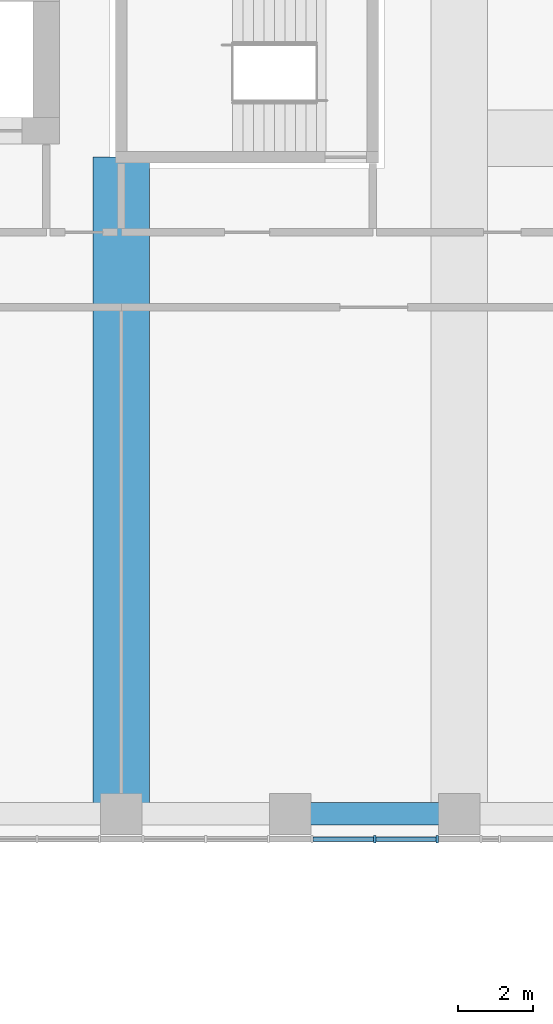
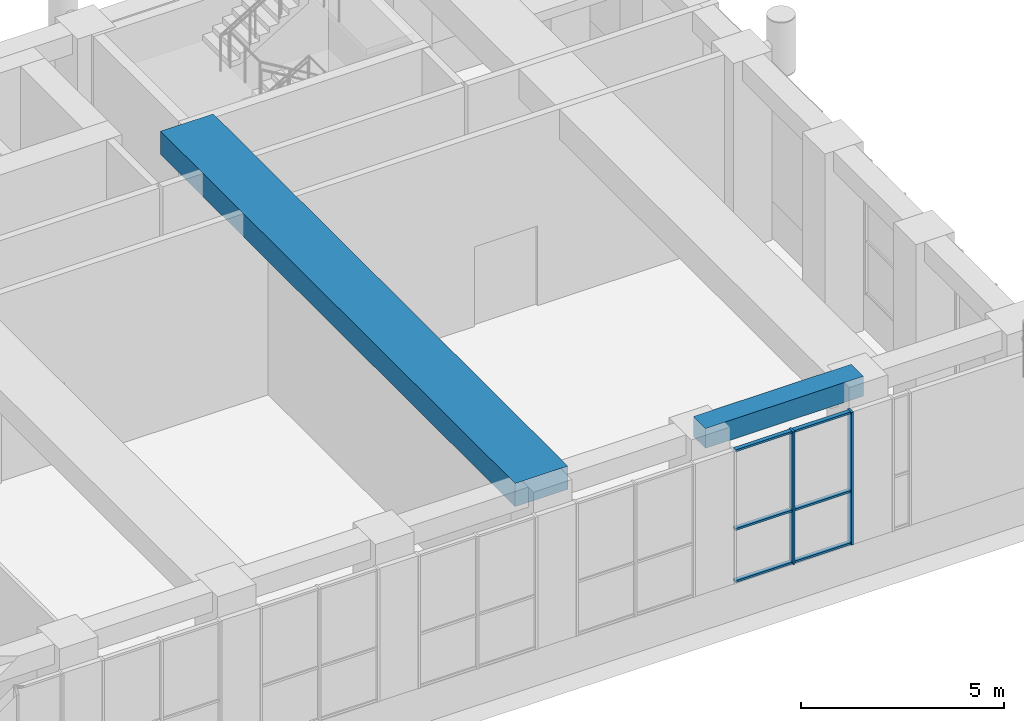
# One storey, part 7 of 22: 8 members, 2 beams, 1 element without a shape of its own.
"""IFC4 building model written with IfcOpenShell, lengths in metres."""

from ifc_helpers import new_model, si_unit, direction, frame, origin, origin_2d, place, context, subcontext, project, spatial, rectangle, extrude, material, material_profile, profile_set, type_object, element, aggregate, save


model = new_model("IFC4")

# Units and contexts
model_context = context("Model", 3, precision=1e-05, world=origin(), true_north=direction((0.0, 1.0)))
body_context = subcontext(model_context, "Body", "Model", "MODEL_VIEW")
ifc_project = project(units=[si_unit("LENGTHUNIT", "METRE"), si_unit("AREAUNIT", "SQUARE_METRE"), si_unit("VOLUMEUNIT", "CUBIC_METRE"), si_unit("PLANEANGLEUNIT", "RADIAN"), si_unit("MASSUNIT", "GRAM", prefix="KILO")], contexts=[model_context])

# Site, building, storey
site_placement = place(None, origin())
site = spatial("IfcSite", under=ifc_project, at=site_placement, CompositionType="ELEMENT")
building_placement = place(site_placement, origin())
building = spatial("IfcBuilding", under=site, at=building_placement, Name="Firuza Court", CompositionType="ELEMENT")
storey_placement = place(building_placement, frame((0.0, 0.0, 113.60009765625)))
storey = spatial("IfcBuildingStorey", under=building, at=storey_placement, Name="L28", CompositionType="ELEMENT", Elevation=113.60009765625)

# Beam
ifc_material_1 = material(Name="Concrete C40/50", Category="concrete")
ifc_material_profile_1 = material_profile(ifc_material_1, rectangle(XDim=1.5, YDim=0.699951171875, at=origin_2d()), Name="RC 1500x700")
ifc_profile_set_1 = profile_set([ifc_material_profile_1], Name="Concrete C40/50")
beam_type_1 = type_object("IfcBeamType", Name="Band beam RC 1500x700 C40/50", PredefinedType="BEAM", material=ifc_profile_set_1)
beam_1_placement = place(storey_placement, frame((54.0, 36.0, 5.349853515625), z_axis=(0.0, 1.0, 0.0), x_axis=(-1.0, 0.0, 0.0)))
element("IfcBeam", 1, at=beam_1_placement, inside=storey, type_object=beam_type_1, Name="Band beam FB1 level L29", PredefinedType="BEAM", context=body_context, shape_type="SweptSolid", body=[
    extrude(rectangle(XDim=1.5, YDim=0.699951171875, at=origin_2d()), origin(), (0.0, 0.0, 1.0), 17.5),
])

# Curtain wall, members
ifc_material_2 = material(Name="Aluminium curtain wall, triple clear glazing", Category="aluminium")
curtain_wall_type = type_object("IfcCurtainWallType", Name="Sky floor unitised curtain wall CW3", PredefinedType="NOTDEFINED", material=ifc_material_2)
curtain_wall_placement = place(storey_placement, origin())
curtain_wall = element("IfcCurtainWall", 2, at=curtain_wall_placement, inside=storey, type_object=curtain_wall_type, Name="Sky floor unitised curtain wall CW3 L28", PredefinedType="NOTDEFINED")
ifc_material_3 = material(Name="Aluminium EN AW-6060 T66", Category="aluminium")
ifc_material_profile_2 = material_profile(ifc_material_3, rectangle(XDim=0.199951171875, YDim=0.06005859375, at=origin_2d()), Name="Mullion 200 x 60 CW3")
ifc_profile_set_2 = profile_set([ifc_material_profile_2], Name="Aluminium EN AW-6060 T66")
member_type_1 = type_object("IfcMemberType", Name="Mullion 200 x 60 CW3", PredefinedType="MULLION", material=ifc_profile_set_2)
member_1_placement = place(storey_placement, frame((60.75, 35.330078125, 1.099853515625), z_axis=(0.0, 0.0, 1.0), x_axis=(0.0, 1.0, 0.0)))
member_1 = element("IfcMember", 3, at=member_1_placement, type_object=member_type_1, Name="CW3 mullion 2", PredefinedType="MULLION", context=body_context, shape_type="SweptSolid", body=[
    extrude(rectangle(XDim=0.199951171875, YDim=0.06005859375, at=origin_2d()), origin(), (0.0, 0.0, 1.0), 4.0),
])
member_2_placement = place(storey_placement, frame((62.419921875, 35.330078125, 1.099853515625), z_axis=(0.0, 0.0, 1.0), x_axis=(0.0, 1.0, 0.0)))
member_2 = element("IfcMember", 4, at=member_2_placement, type_object=member_type_1, Name="CW3 mullion 3", PredefinedType="MULLION", context=body_context, shape_type="SweptSolid", body=[
    extrude(rectangle(XDim=0.199951171875, YDim=0.06005859375, at=origin_2d()), origin(), (0.0, 0.0, 1.0), 4.0),
])

# Beam
ifc_material_4 = material(Name="Concrete C40/50", Category="concrete")
ifc_material_profile_3 = material_profile(ifc_material_4, rectangle(XDim=0.60009765625, YDim=0.60009765625, at=origin_2d()), Name="RC 600x600")
ifc_profile_set_3 = profile_set([ifc_material_profile_3], Name="Concrete C40/50")
beam_type_2 = type_object("IfcBeamType", Name="Spandrel beam RC 600x600 C40/50", PredefinedType="BEAM", material=ifc_profile_set_3)
beam_2_placement = place(storey_placement, frame((58.5, 36.0, 5.39990234375), z_axis=(1.0, 0.0, 0.0), x_axis=(0.0, 1.0, 0.0)))
element("IfcBeam", 5, at=beam_2_placement, inside=storey, type_object=beam_type_2, Name="Spandrel beam SP11 level L29", PredefinedType="BEAM", context=body_context, shape_type="SweptSolid", body=[
    extrude(rectangle(XDim=0.60009765625, YDim=0.60009765625, at=origin_2d()), origin(), (0.0, 0.0, 1.0), 4.5),
])

# Member
ifc_material_5 = material(Name="Aluminium EN AW-6060 T66", Category="aluminium")
ifc_material_profile_4 = material_profile(ifc_material_5, rectangle(XDim=0.1201171875, YDim=0.06005859375, at=origin_2d()), Name="Transom 120 x 60 CW3")
ifc_profile_set_4 = profile_set([ifc_material_profile_4], Name="Aluminium EN AW-6060 T66")
member_type_2 = type_object("IfcMemberType", Name="Transom 120 x 60 CW3", PredefinedType="USERDEFINED", material=ifc_profile_set_4)
member_3_placement = place(storey_placement, frame((59.110107421875, 35.330078125, 1.1298828125), z_axis=(1.0, 0.0, 0.0), x_axis=(0.0, 1.0, 0.0)))
member_3 = element("IfcMember", 6, at=member_3_placement, type_object=member_type_2, Name="CW3 transom 1.1", ObjectType="TRANSOM", PredefinedType="USERDEFINED", context=body_context, shape_type="SweptSolid", body=[
    extrude(rectangle(XDim=0.1201171875, YDim=0.06005859375, at=origin_2d()), origin(), (0.0, 0.0, 1.0), 1.60986328125),
])

member_4_placement = place(storey_placement, frame((59.110107421875, 35.330078125, 2.699951171875), z_axis=(1.0, 0.0, 0.0), x_axis=(0.0, 1.0, 0.0)))
member_4 = element("IfcMember", 7, at=member_4_placement, type_object=member_type_2, Name="CW3 transom 1.2", ObjectType="TRANSOM", PredefinedType="USERDEFINED", context=body_context, shape_type="SweptSolid", body=[
    extrude(rectangle(XDim=0.1201171875, YDim=0.06005859375, at=origin_2d()), origin(), (0.0, 0.0, 1.0), 1.60986328125),
])

member_5_placement = place(storey_placement, frame((59.110107421875, 35.330078125, 5.06982421875), z_axis=(1.0, 0.0, 0.0), x_axis=(0.0, 1.0, 0.0)))
member_5 = element("IfcMember", 8, at=member_5_placement, type_object=member_type_2, Name="CW3 transom 1.3", ObjectType="TRANSOM", PredefinedType="USERDEFINED", context=body_context, shape_type="SweptSolid", body=[
    extrude(rectangle(XDim=0.1201171875, YDim=0.06005859375, at=origin_2d()), origin(), (0.0, 0.0, 1.0), 1.60986328125),
])

member_6_placement = place(storey_placement, frame((60.780029296875, 35.330078125, 1.1298828125), z_axis=(1.0, 0.0, 0.0), x_axis=(0.0, 1.0, 0.0)))
member_6 = element("IfcMember", 9, at=member_6_placement, type_object=member_type_2, Name="CW3 transom 2.1", ObjectType="TRANSOM", PredefinedType="USERDEFINED", context=body_context, shape_type="SweptSolid", body=[
    extrude(rectangle(XDim=0.1201171875, YDim=0.06005859375, at=origin_2d()), origin(), (0.0, 0.0, 1.0), 1.60986328125),
])

member_7_placement = place(storey_placement, frame((60.780029296875, 35.330078125, 2.699951171875), z_axis=(1.0, 0.0, 0.0), x_axis=(0.0, 1.0, 0.0)))
member_7 = element("IfcMember", 10, at=member_7_placement, type_object=member_type_2, Name="CW3 transom 2.2", ObjectType="TRANSOM", PredefinedType="USERDEFINED", context=body_context, shape_type="SweptSolid", body=[
    extrude(rectangle(XDim=0.1201171875, YDim=0.06005859375, at=origin_2d()), origin(), (0.0, 0.0, 1.0), 1.60986328125),
])

member_8_placement = place(storey_placement, frame((60.780029296875, 35.330078125, 5.06982421875), z_axis=(1.0, 0.0, 0.0), x_axis=(0.0, 1.0, 0.0)))
member_8 = element("IfcMember", 11, at=member_8_placement, type_object=member_type_2, Name="CW3 transom 2.3", ObjectType="TRANSOM", PredefinedType="USERDEFINED", context=body_context, shape_type="SweptSolid", body=[
    extrude(rectangle(XDim=0.1201171875, YDim=0.06005859375, at=origin_2d()), origin(), (0.0, 0.0, 1.0), 1.60986328125),
])

aggregate(curtain_wall, [member_1, member_2, member_3, member_4, member_5, member_6, member_7, member_8])

save(model, "model.ifc")
